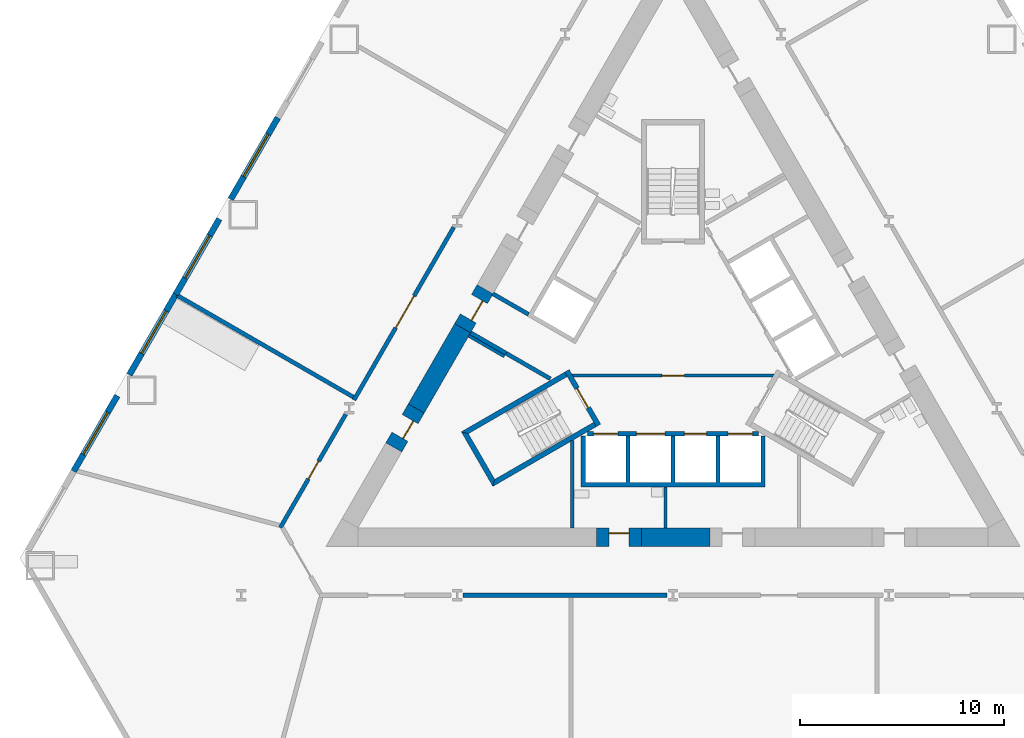
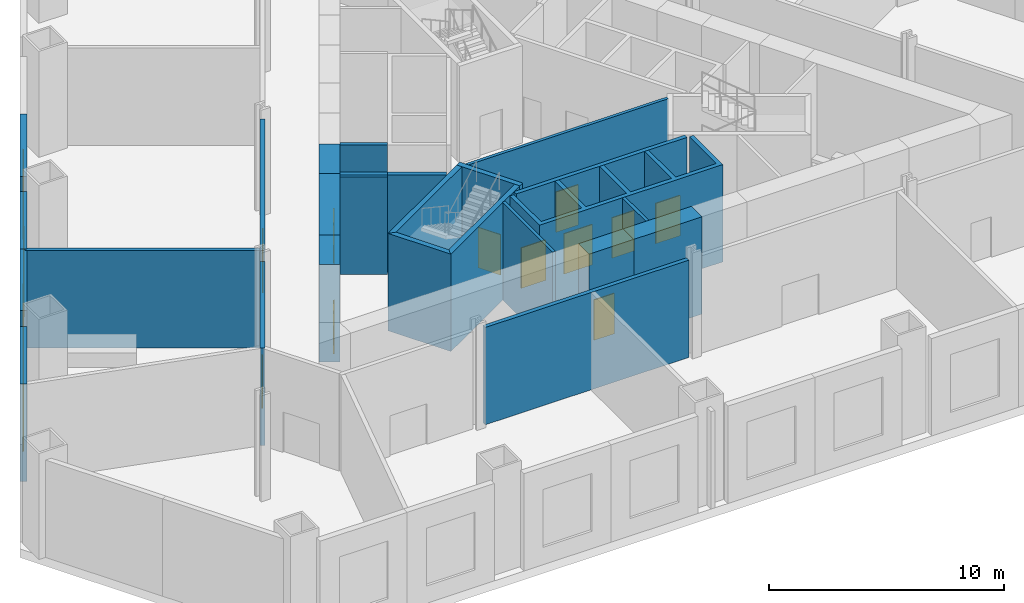
# One storey, part 2 of 9: 26 walls, 11 doors, 4 windows, 15 openings.
"""IFC4 building model written with IfcOpenShell, lengths in metres."""

from ifc_helpers import new_model, si_unit, direction, frame, frame_2d, origin, place, context, subcontext, project, spatial, polyline, rectangle, outline, extrude, material, layer, layer_set, type_object, element, fill, save


model = new_model("IFC4")

# Units and contexts
model_context = context("Model", 3, precision=1e-05, world=origin(), true_north=direction((0.0, 1.0)))
body_context = subcontext(model_context, "Body", "Model", "MODEL_VIEW")
ifc_project = project(units=[si_unit("LENGTHUNIT", "METRE"), si_unit("AREAUNIT", "SQUARE_METRE"), si_unit("VOLUMEUNIT", "CUBIC_METRE"), si_unit("PLANEANGLEUNIT", "RADIAN"), si_unit("MASSUNIT", "GRAM", prefix="KILO")], contexts=[model_context])

# Site, building, storey
site_placement = place(None, origin())
site = spatial("IfcSite", under=ifc_project, at=site_placement, CompositionType="ELEMENT")
building_placement = place(site_placement, origin())
building = spatial("IfcBuilding", under=site, at=building_placement, Name="Cormorant Prow Tower", CompositionType="ELEMENT")
storey_placement = place(building_placement, frame((0.0, 0.0, 15.5)))
storey = spatial("IfcBuildingStorey", under=building, at=storey_placement, Name="L02", CompositionType="ELEMENT", Elevation=15.5)

# Wall, opening, door
ifc_material_1 = material(Name="Gypsum board partition")
ifc_layer_1 = layer(ifc_material_1, 0.14990234375)
ifc_layer_set_1 = layer_set([ifc_layer_1], Name="Gypsum board partition")
wall_type_1 = type_object("IfcWallType", Name="Core partition 150", PredefinedType="PARTITIONING", material=ifc_layer_set_1)
wall_1_placement = place(storey_placement, frame((-4.941162109375, -1.449951171875, 0.0), z_axis=(0.0, 0.0, 1.0), x_axis=(1.0, 0.0, 0.0)))
wall_1 = element("IfcWall", 1, at=wall_1_placement, inside=storey, type_object=wall_type_1, Name="Firefighting lobby partition", PredefinedType="PARTITIONING", context=body_context, shape_type="SweptSolid", body=[
    extrude(rectangle(XDim=9.88232421875, YDim=0.14990234375, at=frame_2d((4.941162109375, 0.0))), origin(), (0.0, 0.0, 1.0), 5.050048828125),
])
opening_1_placement = place(wall_1_placement, frame((4.39111328125, 0.0, 0.0)))
opening_1 = element("IfcOpeningElement", 2, at=opening_1_placement, cuts=wall_1, Name="Opening L02-C10", PredefinedType="OPENING", context=body_context, shape_type="SweptSolid", body=[
    extrude(rectangle(XDim=1.10009765625, YDim=2.10009765625, at=frame_2d((0.550048828125, 1.050048828125))), frame((0.0, 0.0849609375, 0.0), z_axis=(0.0, -1.0, 0.0), x_axis=(1.0, 0.0, 0.0)), (0.0, 0.0, 1.0), 0.169921875),
])
ifc_material_2 = material(Name="Painted steel", Category="steel")
door_type_1 = type_object("IfcDoorType", Name="Firefighting lobby door 1100x2100", OperationType="NOTDEFINED", PredefinedType="DOOR", material=ifc_material_2)
door_1_placement = place(opening_1_placement, origin())
door_1 = element("IfcDoor", 3, at=door_1_placement, inside=storey, type_object=door_type_1, Name="Firefighting lobby door", OperationType="SINGLE_SWING_RIGHT", OverallHeight=2.10009765625, OverallWidth=1.10009765625, PredefinedType="DOOR", context=body_context, shape_type="SweptSolid", body=[
    extrude(rectangle(XDim=1.10009765625, YDim=2.10009765625, at=frame_2d((0.550048828125, 1.050048828125))), frame((0.0, 0.02490234375, 0.0), z_axis=(0.0, -1.0, 0.0), x_axis=(1.0, 0.0, 0.0)), (0.0, 0.0, 1.0), 0.050048828125),
])
fill(opening_1, door_1)

# Walls
wall_2_placement = place(storey_placement, frame((-8.268310546875, -0.509033203125, 0.0), z_axis=(0.0, 0.0, 1.0), x_axis=(-0.866035824272, 0.499981950752, 0.0)))
element("IfcWall", 4, at=wall_2_placement, inside=storey, type_object=wall_type_1, Name="Service room partition", PredefinedType="PARTITIONING", context=body_context, shape_type="SweptSolid", body=[
    extrude(rectangle(XDim=2.0087890625, YDim=0.14990234375, at=frame_2d((1.00439453125, 0.0))), origin(), (0.0, 0.0, 1.0), 5.050048828125),
])
wall_3_placement = place(storey_placement, frame((-0.361328125, -8.9150390625, 0.0), z_axis=(0.0, 0.0, 1.0), x_axis=(0.0, 1.0, 0.0)))
element("IfcWall", 5, at=wall_3_placement, inside=storey, type_object=wall_type_1, Name="Service room partition", PredefinedType="PARTITIONING", context=body_context, shape_type="SweptSolid", body=[
    extrude(rectangle(XDim=2.009033203125, YDim=0.14990234375, at=frame_2d((1.00439453125, 0.0))), origin(), (0.0, 0.0, 1.0), 5.050048828125),
])
wall_4_placement = place(storey_placement, frame((-4.937744140625, -8.9150390625, 0.0), z_axis=(0.0, 0.0, 1.0), x_axis=(0.0, 1.0, 0.0)))
element("IfcWall", 6, at=wall_4_placement, inside=storey, type_object=wall_type_1, Name="Service room partition", PredefinedType="PARTITIONING", context=body_context, shape_type="SweptSolid", body=[
    extrude(rectangle(XDim=4.291259765625, YDim=0.14990234375, at=frame_2d((2.1455078125, 0.0))), origin(), (0.0, 0.0, 1.0), 5.050048828125),
])
ifc_material_3 = material(Name="Concrete 8000 psi", Category="concrete")
ifc_layer_2 = layer(ifc_material_3, 0.89990234375)
ifc_layer_set_2 = layer_set([ifc_layer_2], Name="Concrete 8000 psi")
wall_type_2 = type_object("IfcWallType", Name="Core shear wall 900", PredefinedType="SHEAR", material=ifc_layer_set_2)
wall_5_placement = place(storey_placement, frame((-1.549560546875, -9.364990234375, 0.0), z_axis=(0.0, 0.0, 1.0), x_axis=(1.0, 0.0, 0.0)))
element("IfcWall", 7, at=wall_5_placement, inside=storey, type_object=wall_type_2, Name="Core wall", PredefinedType="SHEAR", context=body_context, shape_type="SweptSolid", body=[
    extrude(rectangle(XDim=3.357177734375, YDim=0.89990234375, at=frame_2d((1.6787109375, 0.0))), origin(), (0.0, 0.0, 1.0), 5.050048828125),
])
wall_6_placement = place(storey_placement, frame((-10.310302734375, 0.8720703125, 0.0), z_axis=(0.0, 0.0, 1.0), x_axis=(-0.499968858743, -0.866043382451, 0.0)))
element("IfcWall", 8, at=wall_6_placement, inside=storey, type_object=wall_type_2, Name="Core wall", PredefinedType="SHEAR", context=body_context, shape_type="SweptSolid", body=[
    extrude(rectangle(XDim=4.545654296875, YDim=0.89990234375, at=frame_2d((2.27294921875, 0.0))), origin(), (0.0, 0.0, 1.0), 5.050048828125),
])

# Wall, opening, door
wall_7_placement = place(storey_placement, frame((-3.74951171875, -9.364990234375, 0.0), z_axis=(0.0, 0.0, 1.0), x_axis=(1.0, 0.0, 0.0)))
wall_7 = element("IfcWall", 9, at=wall_7_placement, inside=storey, type_object=wall_type_2, Name="Core wall door panel", PredefinedType="SHEAR", context=body_context, shape_type="SweptSolid", body=[
    extrude(rectangle(XDim=2.199951171875, YDim=0.89990234375, at=frame_2d((1.10009765625, 0.0))), origin(), (0.0, 0.0, 1.0), 5.050048828125),
])
opening_2_placement = place(wall_7_placement, frame((0.60009765625, 0.0, 0.0)))
opening_2 = element("IfcOpeningElement", 10, at=opening_2_placement, cuts=wall_7, Name="Opening L02-C14", PredefinedType="OPENING", context=body_context, shape_type="SweptSolid", body=[
    extrude(rectangle(XDim=1.0, YDim=2.10009765625, at=frame_2d((0.5, 1.050048828125))), frame((0.0, 0.4599609375, 0.0), z_axis=(0.0, -1.0, 0.0), x_axis=(1.0, 0.0, 0.0)), (0.0, 0.0, 1.0), 0.919921875),
])
ifc_material_4 = material(Name="Painted steel", Category="steel")
door_type_2 = type_object("IfcDoorType", Name="Service door 1000x2100", OperationType="NOTDEFINED", PredefinedType="DOOR", material=ifc_material_4)
door_2_placement = place(opening_2_placement, origin())
door_2 = element("IfcDoor", 11, at=door_2_placement, inside=storey, type_object=door_type_2, Name="Core door, Accessible WC L02", OperationType="SINGLE_SWING_LEFT", OverallHeight=2.10009765625, OverallWidth=1.0, PredefinedType="DOOR", context=body_context, shape_type="SweptSolid", body=[
    extrude(rectangle(XDim=1.0, YDim=2.10009765625, at=frame_2d((0.5, 1.050048828125))), frame((0.0, 0.205078125, 0.0), z_axis=(0.0, -1.0, 0.0), x_axis=(1.0, 0.0, 0.0)), (0.0, 0.0, 1.0), 0.050048828125),
])
fill(opening_2, door_2)

wall_8_placement = place(storey_placement, frame((-12.5830078125, -3.064697265625, 0.0), z_axis=(0.0, 0.0, 1.0), x_axis=(-0.50002983664, -0.866008176907, 0.0)))
wall_8 = element("IfcWall", 12, at=wall_8_placement, inside=storey, type_object=wall_type_2, Name="Core wall door panel", PredefinedType="SHEAR", context=body_context, shape_type="SweptSolid", body=[
    extrude(rectangle(XDim=2.199951171875, YDim=0.89990234375, at=frame_2d((1.10009765625, 0.0))), origin(), (0.0, 0.0, 1.0), 5.050048828125),
])
opening_3_placement = place(wall_8_placement, frame((0.60009765625, 0.0, 0.0)))
opening_3 = element("IfcOpeningElement", 13, at=opening_3_placement, cuts=wall_8, Name="Opening L02-C17", PredefinedType="OPENING", context=body_context, shape_type="SweptSolid", body=[
    extrude(rectangle(XDim=1.0, YDim=2.10009765625, at=frame_2d((0.5, 1.050048828125))), frame((0.0, 0.4599609375, 0.0), z_axis=(0.0, -1.0, 0.0), x_axis=(1.0, 0.0, 0.0)), (0.0, 0.0, 1.0), 0.919921875),
])
door_3_placement = place(opening_3_placement, origin())
door_3 = element("IfcDoor", 14, at=door_3_placement, inside=storey, type_object=door_type_2, Name="Core door, Refuse store", OperationType="SINGLE_SWING_LEFT", OverallHeight=2.10009765625, OverallWidth=1.0, PredefinedType="DOOR", context=body_context, shape_type="SweptSolid", body=[
    extrude(rectangle(XDim=1.0, YDim=2.10009765625, at=frame_2d((0.5, 1.050048828125))), frame((0.0, 0.205078125, 0.0), z_axis=(0.0, -1.0, 0.0), x_axis=(1.0, 0.0, 0.0)), (0.0, 0.0, 1.0), 0.050048828125),
])
fill(opening_3, door_3)

wall_9_placement = place(storey_placement, frame((-9.210205078125, 2.777099609375, 0.0), z_axis=(0.0, 0.0, 1.0), x_axis=(-0.500077893725, -0.86598042715, 0.0)))
wall_9 = element("IfcWall", 15, at=wall_9_placement, inside=storey, type_object=wall_type_2, Name="Core wall door panel", PredefinedType="SHEAR", context=body_context, shape_type="SweptSolid", body=[
    extrude(rectangle(XDim=2.199951171875, YDim=0.89990234375, at=frame_2d((1.10009765625, 0.0))), origin(), (0.0, 0.0, 1.0), 5.050048828125),
])
opening_4_placement = place(wall_9_placement, frame((0.550048828125, 0.0, 0.0)))
opening_4 = element("IfcOpeningElement", 16, at=opening_4_placement, cuts=wall_9, Name="Opening L02-C23", PredefinedType="OPENING", context=body_context, shape_type="SweptSolid", body=[
    extrude(rectangle(XDim=1.10009765625, YDim=2.10009765625, at=frame_2d((0.550048828125, 1.050048828125))), frame((0.0, 0.4599609375, 0.0), z_axis=(0.0, -1.0, 0.0), x_axis=(1.0, 0.0, 0.0)), (0.0, 0.0, 1.0), 0.919921875),
])
ifc_material_5 = material(Name="Painted steel", Category="steel")
door_type_3 = type_object("IfcDoorType", Name="Core door 1100x2100", OperationType="NOTDEFINED", PredefinedType="DOOR", material=ifc_material_5)
door_4_placement = place(opening_4_placement, origin())
door_4 = element("IfcDoor", 17, at=door_4_placement, inside=storey, type_object=door_type_3, Name="Core door, lift lobby", OperationType="SINGLE_SWING_LEFT", OverallHeight=2.10009765625, OverallWidth=1.10009765625, PredefinedType="DOOR", context=body_context, shape_type="SweptSolid", body=[
    extrude(rectangle(XDim=1.10009765625, YDim=2.10009765625, at=frame_2d((0.550048828125, 1.050048828125))), frame((0.0, 0.205078125, 0.0), z_axis=(0.0, -1.0, 0.0), x_axis=(1.0, 0.0, 0.0)), (0.0, 0.0, 1.0), 0.050048828125),
])
fill(opening_4, door_4)

# Wall
ifc_material_6 = material(Name="Gypsum board corridor wall")
ifc_layer_3 = layer(ifc_material_6, 0.199951171875)
ifc_layer_set_3 = layer_set([ifc_layer_3], Name="Gypsum board corridor wall")
wall_type_3 = type_object("IfcWallType", Name="Corridor wall 200", PredefinedType="PARTITIONING", material=ifc_layer_set_3)
wall_10_placement = place(storey_placement, frame((-10.28369140625, -12.215087890625, 0.0), z_axis=(0.0, 0.0, 1.0), x_axis=(1.0, 0.0, 0.0)))
element("IfcWall", 18, at=wall_10_placement, inside=storey, type_object=wall_type_3, Name="Corridor wall", PredefinedType="PARTITIONING", context=body_context, shape_type="SweptSolid", body=[
    extrude(rectangle(XDim=9.98876953125, YDim=0.199951171875, at=frame_2d((4.994384765625, 0.0))), origin(), (0.0, 0.0, 1.0), 5.050048828125),
])

# Wall, opening, door
wall_11_placement = place(storey_placement, frame((-15.633544921875, -2.64794921875, 0.0), z_axis=(0.0, 0.0, 1.0), x_axis=(0.500017363087, 0.866015378969, 0.0)))
wall_11 = element("IfcWall", 19, at=wall_11_placement, inside=storey, type_object=wall_type_3, Name="Corridor wall", PredefinedType="PARTITIONING", context=body_context, shape_type="SweptSolid", body=[
    extrude(rectangle(XDim=9.769775390625, YDim=0.199951171875, at=frame_2d((4.884765625, 0.0))), origin(), (0.0, 0.0, 1.0), 5.050048828125),
])
opening_5_placement = place(wall_11_placement, frame((4.085693359375, 0.0, 0.0)))
opening_5 = element("IfcOpeningElement", 20, at=opening_5_placement, cuts=wall_11, Name="Opening L02-F01", PredefinedType="OPENING", context=body_context, shape_type="SweptSolid", body=[
    extrude(rectangle(XDim=1.800048828125, YDim=2.10009765625, at=frame_2d((0.89990234375, 1.050048828125))), frame((0.0, 0.10986328125, 0.0), z_axis=(0.0, -1.0, 0.0), x_axis=(1.0, 0.0, 0.0)), (0.0, 0.0, 1.0), 0.219970703125),
])
ifc_material_7 = material(Name="Timber door leaf", Category="wood")
door_type_4 = type_object("IfcDoorType", Name="Double door 1800x2100", OperationType="DOUBLE_DOOR_SINGLE_SWING", PredefinedType="DOOR", material=ifc_material_7)
door_5_placement = place(opening_5_placement, origin())
door_5 = element("IfcDoor", 21, at=door_5_placement, inside=storey, type_object=door_type_4, Name="Business reception door", OperationType="DOUBLE_DOOR_SINGLE_SWING", OverallHeight=2.10009765625, OverallWidth=1.800048828125, PredefinedType="DOOR", context=body_context, shape_type="SweptSolid", body=[
    extrude(rectangle(XDim=1.800048828125, YDim=2.10009765625, at=frame_2d((0.89990234375, 1.050048828125))), frame((0.0, 0.02490234375, 0.0), z_axis=(0.0, -1.0, 0.0), x_axis=(1.0, 0.0, 0.0)), (0.0, 0.0, 1.0), 0.050048828125),
])
fill(opening_5, door_5)

wall_12_placement = place(storey_placement, frame((-19.243896484375, -8.901611328125, 0.0), z_axis=(0.0, 0.0, 1.0), x_axis=(0.499988314375, 0.866032150378, 0.0)))
wall_12 = element("IfcWall", 22, at=wall_12_placement, inside=storey, type_object=wall_type_3, Name="Corridor wall", PredefinedType="PARTITIONING", context=body_context, shape_type="SweptSolid", body=[
    extrude(rectangle(XDim=6.412353515625, YDim=0.199951171875, at=frame_2d((3.2060546875, 0.0))), origin(), (0.0, 0.0, 1.0), 5.050048828125),
])
opening_6_placement = place(wall_12_placement, frame((2.756103515625, 0.0, 0.0)))
opening_6 = element("IfcOpeningElement", 23, at=opening_6_placement, cuts=wall_12, Name="Opening L02-F09", PredefinedType="OPENING", context=body_context, shape_type="SweptSolid", body=[
    extrude(rectangle(XDim=1.0, YDim=2.10009765625, at=frame_2d((0.5, 1.050048828125))), frame((0.0, 0.10986328125, 0.0), z_axis=(0.0, -1.0, 0.0), x_axis=(1.0, 0.0, 0.0)), (0.0, 0.0, 1.0), 0.219970703125),
])
ifc_material_8 = material(Name="Timber door leaf", Category="wood")
door_type_5 = type_object("IfcDoorType", Name="Flat or room entrance door 1000x2100", OperationType="NOTDEFINED", PredefinedType="DOOR", material=ifc_material_8)
door_6_placement = place(opening_6_placement, origin())
door_6 = element("IfcDoor", 24, at=door_6_placement, inside=storey, type_object=door_type_5, Name="Meeting suite door", OperationType="SINGLE_SWING_RIGHT", OverallHeight=2.10009765625, OverallWidth=1.0, PredefinedType="DOOR", context=body_context, shape_type="SweptSolid", body=[
    extrude(rectangle(XDim=1.0, YDim=2.10009765625, at=frame_2d((0.5, 1.050048828125))), frame((0.0, 0.02490234375, 0.0), z_axis=(0.0, -1.0, 0.0), x_axis=(1.0, 0.0, 0.0)), (0.0, 0.0, 1.0), 0.050048828125),
])
fill(opening_6, door_6)

# Wall
ifc_material_9 = material(Name="Gypsum board demising wall")
ifc_layer_4 = layer(ifc_material_9, 0.199951171875)
ifc_layer_set_4 = layer_set([ifc_layer_4], Name="Gypsum board demising wall")
wall_type_4 = type_object("IfcWallType", Name="Demising wall 200", PredefinedType="PARTITIONING", material=ifc_layer_set_4)
wall_13_placement = place(storey_placement, frame((-24.3095703125, 2.488037109375, 0.0), z_axis=(0.0, 0.0, 1.0), x_axis=(0.866034070548, -0.499984988425, 0.0)))
element("IfcWall", 25, at=wall_13_placement, inside=storey, type_object=wall_type_4, Name="Demising wall", PredefinedType="PARTITIONING", context=body_context, shape_type="SweptSolid", body=[
    extrude(rectangle(XDim=9.981689453125, YDim=0.199951171875, at=frame_2d((4.99072265625, 0.0))), origin(), (0.0, 0.0, 1.0), 5.050048828125),
])

# Wall, openings, doors
ifc_material_10 = material(Name="Concrete 5000 psi", Category="concrete")
ifc_layer_5 = layer(ifc_material_10, 0.199951171875)
ifc_layer_set_5 = layer_set([ifc_layer_5], Name="Concrete 5000 psi")
wall_type_5 = type_object("IfcWallType", Name="Lift lobby wall 200", PredefinedType="SOLIDWALL", material=ifc_layer_set_5)
wall_14_placement = place(storey_placement, frame((-4.1865234375, -4.300048828125, 0.0), z_axis=(0.0, 0.0, 1.0), x_axis=(1.0, 0.0, 0.0)))
wall_14 = element("IfcWall", 26, at=wall_14_placement, inside=storey, type_object=wall_type_5, Name="Lift lobby wall, S block", PredefinedType="SOLIDWALL", context=body_context, shape_type="SweptSolid", body=[
    extrude(rectangle(XDim=8.373046875, YDim=0.199951171875, at=frame_2d((4.1865234375, 0.0))), origin(), (0.0, 0.0, 1.0), 5.050048828125),
])
opening_7_placement = place(wall_14_placement, frame((0.28662109375, 0.0, 0.0)))
opening_7 = element("IfcOpeningElement", 27, at=opening_7_placement, cuts=wall_14, Name="Opening L02-C01", PredefinedType="OPENING", context=body_context, shape_type="SweptSolid", body=[
    extrude(rectangle(XDim=1.199951171875, YDim=2.10009765625, at=frame_2d((0.60009765625, 1.050048828125))), frame((0.0, 0.10986328125, 0.0), z_axis=(0.0, -1.0, 0.0), x_axis=(1.0, 0.0, 0.0)), (0.0, 0.0, 1.0), 0.219970703125),
])
opening_8_placement = place(wall_14_placement, frame((2.38671875, 0.0, 0.0)))
opening_8 = element("IfcOpeningElement", 28, at=opening_8_placement, cuts=wall_14, Name="Opening L02-C02", PredefinedType="OPENING", context=body_context, shape_type="SweptSolid", body=[
    extrude(rectangle(XDim=1.39990234375, YDim=2.10009765625, at=frame_2d((0.699951171875, 1.050048828125))), frame((0.0, 0.10986328125, 0.0), z_axis=(0.0, -1.0, 0.0), x_axis=(1.0, 0.0, 0.0)), (0.0, 0.0, 1.0), 0.219970703125),
])
opening_9_placement = place(wall_14_placement, frame((4.736572265625, 0.0, 0.0)))
opening_9 = element("IfcOpeningElement", 29, at=opening_9_placement, cuts=wall_14, Name="Opening L02-C03", PredefinedType="OPENING", context=body_context, shape_type="SweptSolid", body=[
    extrude(rectangle(XDim=1.10009765625, YDim=2.10009765625, at=frame_2d((0.550048828125, 1.050048828125))), frame((0.0, 0.10986328125, 0.0), z_axis=(0.0, -1.0, 0.0), x_axis=(1.0, 0.0, 0.0)), (0.0, 0.0, 1.0), 0.219970703125),
])
opening_10_placement = place(wall_14_placement, frame((6.88671875, 0.0, 0.0)))
opening_10 = element("IfcOpeningElement", 30, at=opening_10_placement, cuts=wall_14, Name="Opening L02-C04", PredefinedType="OPENING", context=body_context, shape_type="SweptSolid", body=[
    extrude(rectangle(XDim=1.199951171875, YDim=2.10009765625, at=frame_2d((0.60009765625, 1.050048828125))), frame((0.0, 0.10986328125, 0.0), z_axis=(0.0, -1.0, 0.0), x_axis=(1.0, 0.0, 0.0)), (0.0, 0.0, 1.0), 0.219970703125),
])
ifc_material_11 = material(Name="Painted steel", Category="steel")
door_type_6 = type_object("IfcDoorType", Name="Firefighting lift landing door 1200x2100", OperationType="SLIDING_TO_LEFT", PredefinedType="DOOR", material=ifc_material_11)
door_7_placement = place(opening_7_placement, origin())
door_7 = element("IfcDoor", 31, at=door_7_placement, inside=storey, type_object=door_type_6, Name="Landing door FL1", OperationType="SLIDING_TO_LEFT", OverallHeight=2.10009765625, OverallWidth=1.199951171875, PredefinedType="DOOR", context=body_context, shape_type="SweptSolid", body=[
    extrude(rectangle(XDim=1.199951171875, YDim=2.10009765625, at=frame_2d((0.60009765625, 1.050048828125))), frame((0.0, 0.02490234375, 0.0), z_axis=(0.0, -1.0, 0.0), x_axis=(1.0, 0.0, 0.0)), (0.0, 0.0, 1.0), 0.050048828125),
])
fill(opening_7, door_7)
door_8_placement = place(opening_10_placement, origin())
door_8 = element("IfcDoor", 32, at=door_8_placement, inside=storey, type_object=door_type_6, Name="Landing door FL2", OperationType="SLIDING_TO_LEFT", OverallHeight=2.10009765625, OverallWidth=1.199951171875, PredefinedType="DOOR", context=body_context, shape_type="SweptSolid", body=[
    extrude(rectangle(XDim=1.199951171875, YDim=2.10009765625, at=frame_2d((0.60009765625, 1.050048828125))), frame((0.0, 0.02490234375, 0.0), z_axis=(0.0, -1.0, 0.0), x_axis=(1.0, 0.0, 0.0)), (0.0, 0.0, 1.0), 0.050048828125),
])
fill(opening_10, door_8)
ifc_material_12 = material(Name="Painted steel", Category="steel")
door_type_7 = type_object("IfcDoorType", Name="Lift landing door 1100x2100", OperationType="SLIDING_TO_LEFT", PredefinedType="DOOR", material=ifc_material_12)
door_9_placement = place(opening_9_placement, origin())
door_9 = element("IfcDoor", 33, at=door_9_placement, inside=storey, type_object=door_type_7, Name="Landing door LR1", OperationType="SLIDING_TO_LEFT", OverallHeight=2.10009765625, OverallWidth=1.10009765625, PredefinedType="DOOR", context=body_context, shape_type="SweptSolid", body=[
    extrude(rectangle(XDim=1.10009765625, YDim=2.10009765625, at=frame_2d((0.550048828125, 1.050048828125))), frame((0.0, 0.02490234375, 0.0), z_axis=(0.0, -1.0, 0.0), x_axis=(1.0, 0.0, 0.0)), (0.0, 0.0, 1.0), 0.050048828125),
])
fill(opening_9, door_9)
ifc_material_13 = material(Name="Painted steel", Category="steel")
door_type_8 = type_object("IfcDoorType", Name="Service lift landing door 1400x2100", OperationType="SLIDING_TO_LEFT", PredefinedType="DOOR", material=ifc_material_13)
door_10_placement = place(opening_8_placement, origin())
door_10 = element("IfcDoor", 34, at=door_10_placement, inside=storey, type_object=door_type_8, Name="Landing door SL1", OperationType="SLIDING_TO_LEFT", OverallHeight=2.10009765625, OverallWidth=1.39990234375, PredefinedType="DOOR", context=body_context, shape_type="SweptSolid", body=[
    extrude(rectangle(XDim=1.39990234375, YDim=2.10009765625, at=frame_2d((0.699951171875, 1.050048828125))), frame((0.0, 0.02490234375, 0.0), z_axis=(0.0, -1.0, 0.0), x_axis=(1.0, 0.0, 0.0)), (0.0, 0.0, 1.0), 0.050048828125),
])
fill(opening_8, door_10)

# Walls
ifc_material_14 = material(Name="Concrete 8000 psi", Category="concrete")
ifc_layer_6 = layer(ifc_material_14, 0.199951171875)
ifc_layer_set_6 = layer_set([ifc_layer_6], Name="Concrete 8000 psi")
wall_type_6 = type_object("IfcWallType", Name="Lift shaft wall 200", PredefinedType="SHEAR", material=ifc_layer_set_6)
wall_15_placement = place(storey_placement, origin())
element("IfcWall", 35, at=wall_15_placement, inside=storey, type_object=wall_type_6, Name="Lift shaft walls, S block", PredefinedType="SHEAR", context=body_context, shape_type="SweptSolid", body=[
    extrude(outline(polyline([(4.5, -4.39990234375), (4.5, -6.906005859375), (-4.5, -6.906005859375), (-4.5, -4.39990234375), (-4.300048828125, -4.39990234375), (-4.300048828125, -6.699951171875), (-2.300048828125, -6.699951171875), (-2.300048828125, -4.39990234375), (-2.10009765625, -4.39990234375), (-2.10009765625, -6.699951171875), (-0.10009765625, -6.699951171875), (-0.10009765625, -4.39990234375), (0.10009765625, -4.39990234375), (0.10009765625, -6.699951171875), (2.10009765625, -6.699951171875), (2.10009765625, -4.39990234375), (2.300048828125, -4.39990234375), (2.300048828125, -6.699951171875), (4.300048828125, -6.699951171875), (4.300048828125, -4.39990234375), (4.5, -4.39990234375)])), origin(), (0.0, 0.0, 1.0), 5.050048828125),
])
wall_16_placement = place(storey_placement, origin())
element("IfcWall", 36, at=wall_16_placement, inside=storey, type_object=wall_type_6, Name="Lift shaft walls, WNW block", PredefinedType="SHEAR", context=body_context, shape_type="SweptSolid", body=[
    extrude(outline(polyline([(-6.060546875, -1.697021484375), (-8.230712890625, -0.444091796875), (-8.130859375, -0.27099609375), (-5.96044921875, -1.52392578125), (-6.060546875, -1.697021484375)])), origin(), (0.0, 0.0, 1.0), 5.050048828125),
])
wall_17_placement = place(storey_placement, frame((-7.080810546875, 1.547607421875, 0.0), z_axis=(0.0, 0.0, 1.0), x_axis=(-0.865983199114, 0.50007309351, 0.0)))
element("IfcWall", 37, at=wall_17_placement, inside=storey, type_object=wall_type_6, Name="Lobby passage wall", PredefinedType="SHEAR", context=body_context, shape_type="SweptSolid", body=[
    extrude(rectangle(XDim=2.009033203125, YDim=0.199951171875, at=frame_2d((1.00439453125, 0.0))), origin(), (0.0, 0.0, 1.0), 5.050048828125),
])
wall_18_placement = place(storey_placement, frame((-8.180908203125, -0.357421875, 0.0), z_axis=(0.0, 0.0, 1.0), x_axis=(-0.866035824272, 0.499981950752, 0.0)))
element("IfcWall", 38, at=wall_18_placement, inside=storey, type_object=wall_type_6, Name="Lobby passage wall", PredefinedType="SHEAR", context=body_context, shape_type="SweptSolid", body=[
    extrude(rectangle(XDim=2.0087890625, YDim=0.199951171875, at=frame_2d((1.00439453125, 0.0))), origin(), (0.0, 0.0, 1.0), 5.050048828125),
])
ifc_material_15 = material(Name="Concrete 8000 psi", Category="concrete")
ifc_layer_7 = layer(ifc_material_15, 0.25)
ifc_layer_set_7 = layer_set([ifc_layer_7], Name="Concrete 8000 psi")
wall_type_7 = type_object("IfcWallType", Name="Stair wall 250", PredefinedType="SHEAR", material=ifc_layer_set_7)
wall_19_placement = place(storey_placement, origin())
element("IfcWall", 39, at=wall_19_placement, inside=storey, type_object=wall_type_7, Name="Stair ST1 enclosure wall (flank)", PredefinedType="SHEAR", context=body_context, shape_type="SweptSolid", body=[
    extrude(outline(polyline([(-5.30712890625, -1.28125), (-10.37353515625, -4.206298828125), (-10.031982421875, -4.2978515625), (-5.18212890625, -1.497802734375), (-5.30712890625, -1.28125)])), origin(), (0.0, 0.0, 1.0), 5.050048828125),
])
wall_20_placement = place(storey_placement, origin())
element("IfcWall", 40, at=wall_20_placement, inside=storey, type_object=wall_type_7, Name="Stair ST1 enclosure wall (end)", PredefinedType="SHEAR", context=body_context, shape_type="SweptSolid", body=[
    extrude(outline(polyline([(-10.37353515625, -4.206298828125), (-8.82958984375, -6.880615234375), (-8.738037109375, -6.5390625), (-10.031982421875, -4.2978515625), (-10.37353515625, -4.206298828125)])), origin(), (0.0, 0.0, 1.0), 5.050048828125),
])
wall_21_placement = place(storey_placement, origin())
element("IfcWall", 41, at=wall_21_placement, inside=storey, type_object=wall_type_7, Name="Stair ST1 enclosure wall (flank)", PredefinedType="SHEAR", context=body_context, shape_type="SweptSolid", body=[
    extrude(outline(polyline([(-8.738037109375, -6.5390625), (-8.82958984375, -6.880615234375), (-3.76318359375, -3.95556640625), (-3.88818359375, -3.739013671875), (-8.738037109375, -6.5390625)])), origin(), (0.0, 0.0, 1.0), 5.050048828125),
])

# Wall, opening, door
wall_22_placement = place(storey_placement, frame((-5.198974609375, -1.21875, 0.0), z_axis=(0.0, 0.0, 1.0), x_axis=(0.499982516597, -0.866035497597, 0.0)))
wall_22 = element("IfcWall", 42, at=wall_22_placement, inside=storey, type_object=wall_type_7, Name="Stair ST1 door wall", PredefinedType="SHEAR", context=body_context, shape_type="SweptSolid", body=[
    extrude(rectangle(XDim=3.087890625, YDim=0.25, at=frame_2d((1.5439453125, 0.0))), origin(), (0.0, 0.0, 1.0), 5.050048828125),
])
opening_11_placement = place(wall_22_placement, frame((0.993896484375, 0.0, 0.0)))
opening_11 = element("IfcOpeningElement", 43, at=opening_11_placement, cuts=wall_22, Name="Opening L02-C11", PredefinedType="OPENING", context=body_context, shape_type="SweptSolid", body=[
    extrude(rectangle(XDim=1.10009765625, YDim=2.10009765625, at=frame_2d((0.550048828125, 1.050048828125))), frame((0.0, 0.135009765625, 0.0), z_axis=(0.0, -1.0, 0.0), x_axis=(1.0, 0.0, 0.0)), (0.0, 0.0, 1.0), 0.27001953125),
])
ifc_material_16 = material(Name="Painted steel", Category="steel")
door_type_9 = type_object("IfcDoorType", Name="Stair door 1100x2100", OperationType="NOTDEFINED", PredefinedType="DOOR", material=ifc_material_16)
door_11_placement = place(opening_11_placement, origin())
door_11 = element("IfcDoor", 44, at=door_11_placement, inside=storey, type_object=door_type_9, Name="Stair ST1 door", OperationType="SINGLE_SWING_LEFT", OverallHeight=2.10009765625, OverallWidth=1.10009765625, PredefinedType="DOOR", context=body_context, shape_type="SweptSolid", body=[
    extrude(rectangle(XDim=1.10009765625, YDim=2.10009765625, at=frame_2d((0.550048828125, 1.050048828125))), frame((0.0, 0.02490234375, 0.0), z_axis=(0.0, -1.0, 0.0), x_axis=(1.0, 0.0, 0.0)), (0.0, 0.0, 1.0), 0.050048828125),
])
fill(opening_11, door_11)

# Wall, opening, window
ifc_material_17 = material(Name="Terracotta", Category="masonry")
ifc_layer_8 = layer(ifc_material_17, 0.300048828125)
ifc_layer_set_8 = layer_set([ifc_layer_8], Name="Terracotta")
wall_type_8 = type_object("IfcWallType", Name="Terracotta podium cladding wall 300", PredefinedType="SOLIDWALL", material=ifc_layer_set_8)
wall_23_placement = place(storey_placement, frame((-19.3701171875, 11.183349609375, 0.0), z_axis=(0.0, 0.0, 1.0), x_axis=(-0.499982117899, -0.866035727774, 0.0)))
wall_23 = element("IfcWall", 45, at=wall_23_placement, inside=storey, type_object=wall_type_8, Name="Terracotta podium wall WNW05", PredefinedType="SOLIDWALL", context=body_context, shape_type="SweptSolid", body=[
    extrude(rectangle(XDim=4.612060546875, YDim=0.300048828125, at=frame_2d((2.30615234375, 0.0))), origin(), (0.0, 0.0, 1.0), 5.050048828125),
])
opening_12_placement = place(wall_23_placement, frame((0.93505859375, 0.0, 0.89990234375)))
opening_12 = element("IfcOpeningElement", 46, at=opening_12_placement, cuts=wall_23, Name="Opening WN21", PredefinedType="OPENING", context=body_context, shape_type="SweptSolid", body=[
    extrude(rectangle(XDim=2.39990234375, YDim=3.0, at=frame_2d((1.199951171875, 1.5))), frame((0.0, 0.159912109375, 0.0), z_axis=(0.0, -1.0, 0.0), x_axis=(1.0, 0.0, 0.0)), (0.0, 0.0, 1.0), 0.320068359375),
])
ifc_material_18 = material(Name="Aluminium 6063-T6", Category="aluminium")
window_type = type_object("IfcWindowType", Name="Podium window 2400x3000", PartitioningType="SINGLE_PANEL", PredefinedType="WINDOW", material=ifc_material_18)
window_1_placement = place(opening_12_placement, origin())
window_1 = element("IfcWindow", 47, at=window_1_placement, inside=storey, type_object=window_type, Name="Podium window WNW05", OverallHeight=3.0, OverallWidth=2.39990234375, PartitioningType="SINGLE_PANEL", PredefinedType="WINDOW", context=body_context, shape_type="SweptSolid", body=[
    extrude(rectangle(XDim=2.39990234375, YDim=3.0, at=frame_2d((1.199951171875, 1.5))), frame((0.0, 0.030029296875, 0.0), z_axis=(0.0, -1.0, 0.0), x_axis=(1.0, 0.0, 0.0)), (0.0, 0.0, 1.0), 0.06005859375),
])
fill(opening_12, window_1)

wall_24_placement = place(storey_placement, frame((-22.235107421875, 6.220947265625, 0.0), z_axis=(0.0, 0.0, 1.0), x_axis=(-0.500019418418, -0.866014192265, 0.0)))
wall_24 = element("IfcWall", 48, at=wall_24_placement, inside=storey, type_object=wall_type_8, Name="Terracotta podium wall WNW06", PredefinedType="SOLIDWALL", context=body_context, shape_type="SweptSolid", body=[
    extrude(rectangle(XDim=4.269775390625, YDim=0.300048828125, at=frame_2d((2.134765625, 0.0))), origin(), (0.0, 0.0, 1.0), 5.050048828125),
])
opening_13_placement = place(wall_24_placement, frame((0.93505859375, 0.0, 0.89990234375)))
opening_13 = element("IfcOpeningElement", 49, at=opening_13_placement, cuts=wall_24, Name="Opening WN21", PredefinedType="OPENING", context=body_context, shape_type="SweptSolid", body=[
    extrude(rectangle(XDim=2.39990234375, YDim=3.0, at=frame_2d((1.199951171875, 1.5))), frame((0.0, 0.159912109375, 0.0), z_axis=(0.0, -1.0, 0.0), x_axis=(1.0, 0.0, 0.0)), (0.0, 0.0, 1.0), 0.320068359375),
])
window_2_placement = place(opening_13_placement, origin())
window_2 = element("IfcWindow", 50, at=window_2_placement, inside=storey, type_object=window_type, Name="Podium window WNW06", OverallHeight=3.0, OverallWidth=2.39990234375, PartitioningType="SINGLE_PANEL", PredefinedType="WINDOW", context=body_context, shape_type="SweptSolid", body=[
    extrude(rectangle(XDim=2.39990234375, YDim=3.0, at=frame_2d((1.199951171875, 1.5))), frame((0.0, 0.030029296875, 0.0), z_axis=(0.0, -1.0, 0.0), x_axis=(1.0, 0.0, 0.0)), (0.0, 0.0, 1.0), 0.06005859375),
])
fill(opening_13, window_2)

wall_25_placement = place(storey_placement, frame((-24.3701171875, 2.523193359375, 0.0), z_axis=(0.0, 0.0, 1.0), x_axis=(-0.499964285679, -0.866046022475, 0.0)))
wall_25 = element("IfcWall", 51, at=wall_25_placement, inside=storey, type_object=wall_type_8, Name="Terracotta podium wall WNW07", PredefinedType="SOLIDWALL", context=body_context, shape_type="SweptSolid", body=[
    extrude(rectangle(XDim=4.544189453125, YDim=0.300048828125, at=frame_2d((2.27197265625, 0.0))), origin(), (0.0, 0.0, 1.0), 5.050048828125),
])
opening_14_placement = place(wall_25_placement, frame((0.93505859375, 0.0, 0.89990234375)))
opening_14 = element("IfcOpeningElement", 52, at=opening_14_placement, cuts=wall_25, Name="Opening WN21", PredefinedType="OPENING", context=body_context, shape_type="SweptSolid", body=[
    extrude(rectangle(XDim=2.39990234375, YDim=3.0, at=frame_2d((1.199951171875, 1.5))), frame((0.0, 0.159912109375, 0.0), z_axis=(0.0, -1.0, 0.0), x_axis=(1.0, 0.0, 0.0)), (0.0, 0.0, 1.0), 0.320068359375),
])
window_3_placement = place(opening_14_placement, origin())
window_3 = element("IfcWindow", 53, at=window_3_placement, inside=storey, type_object=window_type, Name="Podium window WNW07", OverallHeight=3.0, OverallWidth=2.39990234375, PartitioningType="SINGLE_PANEL", PredefinedType="WINDOW", context=body_context, shape_type="SweptSolid", body=[
    extrude(rectangle(XDim=2.39990234375, YDim=3.0, at=frame_2d((1.199951171875, 1.5))), frame((0.0, 0.030029296875, 0.0), z_axis=(0.0, -1.0, 0.0), x_axis=(1.0, 0.0, 0.0)), (0.0, 0.0, 1.0), 0.06005859375),
])
fill(opening_14, window_3)

wall_26_placement = place(storey_placement, frame((-27.235107421875, -2.439208984375, 0.0), z_axis=(0.0, 0.0, 1.0), x_axis=(-0.499994660107, -0.866028486751, 0.0)))
wall_26 = element("IfcWall", 54, at=wall_26_placement, inside=storey, type_object=wall_type_8, Name="Terracotta podium wall WNW08", PredefinedType="SOLIDWALL", context=body_context, shape_type="SweptSolid", body=[
    extrude(rectangle(XDim=4.27001953125, YDim=0.300048828125, at=frame_2d((2.135009765625, 0.0))), origin(), (0.0, 0.0, 1.0), 5.050048828125),
])
opening_15_placement = place(wall_26_placement, frame((0.93505859375, 0.0, 0.89990234375)))
opening_15 = element("IfcOpeningElement", 55, at=opening_15_placement, cuts=wall_26, Name="Opening WN21", PredefinedType="OPENING", context=body_context, shape_type="SweptSolid", body=[
    extrude(rectangle(XDim=2.39990234375, YDim=3.0, at=frame_2d((1.199951171875, 1.5))), frame((0.0, 0.159912109375, 0.0), z_axis=(0.0, -1.0, 0.0), x_axis=(1.0, 0.0, 0.0)), (0.0, 0.0, 1.0), 0.320068359375),
])
window_4_placement = place(opening_15_placement, origin())
window_4 = element("IfcWindow", 56, at=window_4_placement, inside=storey, type_object=window_type, Name="Podium window WNW08", OverallHeight=3.0, OverallWidth=2.39990234375, PartitioningType="SINGLE_PANEL", PredefinedType="WINDOW", context=body_context, shape_type="SweptSolid", body=[
    extrude(rectangle(XDim=2.39990234375, YDim=3.0, at=frame_2d((1.199951171875, 1.5))), frame((0.0, 0.030029296875, 0.0), z_axis=(0.0, -1.0, 0.0), x_axis=(1.0, 0.0, 0.0)), (0.0, 0.0, 1.0), 0.06005859375),
])
fill(opening_15, window_4)

save(model, "model.ifc")
